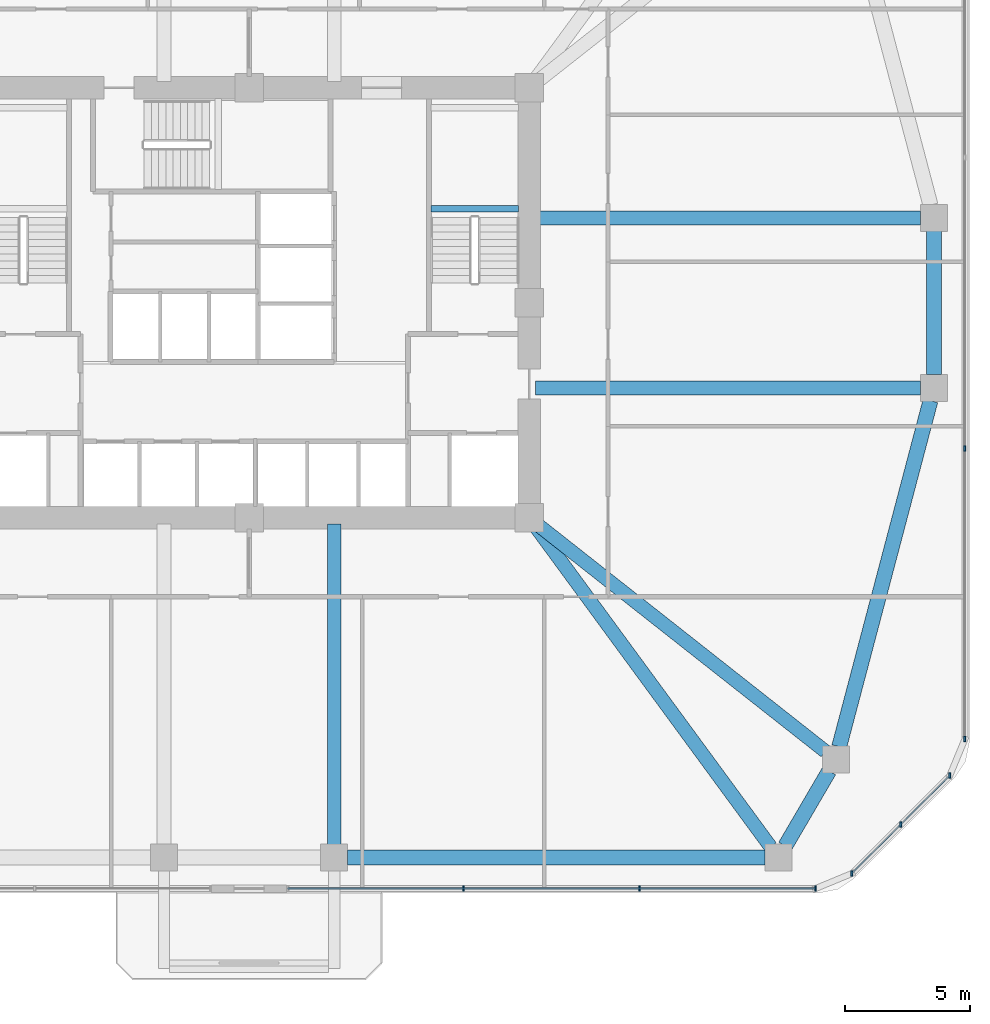
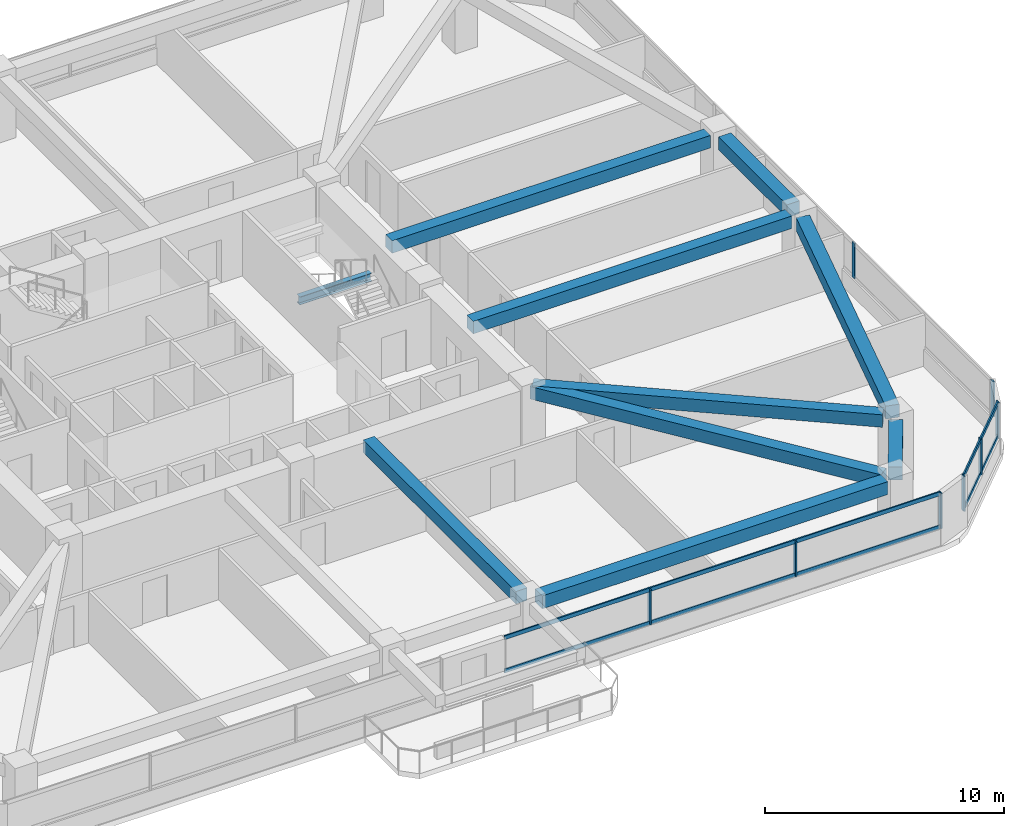
# One storey, part 3 of 13: 12 members, 10 beams, 3 elements without a shape of their own.
"""IFC4 building model written with IfcOpenShell, lengths in metres."""

from ifc_helpers import new_model, si_unit, derived_unit, direction, frame, origin, origin_2d, place, context, subcontext, project, spatial, rectangle, i_section, extrude, material, material_profile, profile_set, type_object, element, aggregate, save


model = new_model("IFC4")

# Units and contexts
model_context = context("Model", 3, precision=1e-05, world=origin(), true_north=direction((0.0, 1.0)))
body_context = subcontext(model_context, "Body", "Model", "MODEL_VIEW")
ifc_project = project(units=[si_unit("LENGTHUNIT", "METRE"), si_unit("AREAUNIT", "SQUARE_METRE"), si_unit("VOLUMEUNIT", "CUBIC_METRE"), si_unit("PLANEANGLEUNIT", "RADIAN"), si_unit("MASSUNIT", "GRAM", prefix="KILO"), derived_unit("THERMALTRANSMITTANCEUNIT", [(si_unit("POWERUNIT", "WATT"), 1), (si_unit("LENGTHUNIT", "METRE"), -2), (si_unit("THERMODYNAMICTEMPERATUREUNIT", "KELVIN"), -1)])], contexts=[model_context])

# Site, building, storey
site_placement = place(None, origin())
site = spatial("IfcSite", under=ifc_project, at=site_placement, CompositionType="ELEMENT")
building_placement = place(site_placement, origin())
building = spatial("IfcBuilding", under=site, at=building_placement, Name="Koralith Skygarden Medical Center", CompositionType="ELEMENT")
storey_placement = place(building_placement, frame((0.0, 0.0, 63.5400390625)))
storey = spatial("IfcBuildingStorey", under=building, at=storey_placement, Name="L16", CompositionType="ELEMENT", Elevation=63.5400390625)

# Curtain wall, members
ifc_material_1 = material(Name="Clear Laminated Glass", Category="glass")
curtain_wall_type = type_object("IfcCurtainWallType", Name="CW-2 Zone 1 Hurricane Unitised Curtain Wall", PredefinedType="NOTDEFINED", material=ifc_material_1)
curtain_wall_1_placement = place(storey_placement, origin())
curtain_wall_1 = element("IfcCurtainWall", 1, at=curtain_wall_1_placement, inside=storey, type_object=curtain_wall_type, Name="Curtain Wall CW-L16-S-R", PredefinedType="NOTDEFINED")
ifc_material_2 = material(Name="Aluminium 6063-T6", Category="aluminium")
ifc_material_profile_1 = material_profile(ifc_material_2, rectangle(XDim=0.071044921875, YDim=0.219970703125, at=origin_2d()), Name="MUL71X220")
ifc_profile_set_1 = profile_set([ifc_material_profile_1], Name="Aluminium 6063-T6")
member_type_1 = type_object("IfcMemberType", Name="CW-2 Extruded Mullion 71x220", PredefinedType="MULLION", material=ifc_profile_set_1)
member_1_placement = place(storey_placement, frame((45.574951171875, 2.47998046875, 0.849853515625), z_axis=(0.0, 0.0, 1.0), x_axis=(1.0, 0.0, 0.0)))
member_1 = element("IfcMember", 2, at=member_1_placement, type_object=member_type_1, Name="CW-L16-S-R Mullion 2", PredefinedType="MULLION", context=body_context, shape_type="SweptSolid", body=[
    extrude(rectangle(XDim=0.071044921875, YDim=0.219970703125, at=origin_2d()), origin(), (0.0, 0.0, 1.0), 1.800048828125),
])
member_2_placement = place(storey_placement, frame((52.610107421875, 2.47998046875, 0.849853515625), z_axis=(0.0, 0.0, 1.0), x_axis=(1.0, 0.0, 0.0)))
member_2 = element("IfcMember", 3, at=member_2_placement, type_object=member_type_1, Name="CW-L16-S-R Mullion 3", PredefinedType="MULLION", context=body_context, shape_type="SweptSolid", body=[
    extrude(rectangle(XDim=0.071044921875, YDim=0.219970703125, at=origin_2d()), origin(), (0.0, 0.0, 1.0), 1.800048828125),
])
member_3_placement = place(storey_placement, frame((59.64501953125, 2.47998046875, 0.849853515625), z_axis=(0.0, 0.0, 1.0), x_axis=(1.0, 0.0, 0.0)))
member_3 = element("IfcMember", 4, at=member_3_placement, type_object=member_type_1, Name="CW-L16-S-R Mullion 4", PredefinedType="MULLION", context=body_context, shape_type="SweptSolid", body=[
    extrude(rectangle(XDim=0.071044921875, YDim=0.219970703125, at=origin_2d()), origin(), (0.0, 0.0, 1.0), 1.800048828125),
])

curtain_wall_2_placement = place(storey_placement, origin())
curtain_wall_2 = element("IfcCurtainWall", 5, at=curtain_wall_2_placement, inside=storey, type_object=curtain_wall_type, Name="Curtain Wall CW-L16-SE", PredefinedType="NOTDEFINED")
member_4_placement = place(storey_placement, frame((61.095947265625, 3.0810546875, 0.849853515625), z_axis=(0.0, 0.0, 1.0), x_axis=(1.0, 0.0, 0.0)))
member_4 = element("IfcMember", 6, at=member_4_placement, type_object=member_type_1, Name="CW-L16-SE Mullion 1", PredefinedType="MULLION", context=body_context, shape_type="SweptSolid", body=[
    extrude(rectangle(XDim=0.071044921875, YDim=0.219970703125, at=origin_2d()), origin(), (0.0, 0.0, 1.0), 1.800048828125),
])
member_5_placement = place(storey_placement, frame((63.056884765625, 5.0419921875, 0.849853515625), z_axis=(0.0, 0.0, 1.0), x_axis=(1.0, 0.0, 0.0)))
member_5 = element("IfcMember", 7, at=member_5_placement, type_object=member_type_1, Name="CW-L16-SE Mullion 2", PredefinedType="MULLION", context=body_context, shape_type="SweptSolid", body=[
    extrude(rectangle(XDim=0.071044921875, YDim=0.219970703125, at=origin_2d()), origin(), (0.0, 0.0, 1.0), 1.800048828125),
])
member_6_placement = place(storey_placement, frame((65.01904296875, 7.00390625, 0.849853515625), z_axis=(0.0, 0.0, 1.0), x_axis=(1.0, 0.0, 0.0)))
member_6 = element("IfcMember", 8, at=member_6_placement, type_object=member_type_1, Name="CW-L16-SE Mullion 3", PredefinedType="MULLION", context=body_context, shape_type="SweptSolid", body=[
    extrude(rectangle(XDim=0.071044921875, YDim=0.219970703125, at=origin_2d()), origin(), (0.0, 0.0, 1.0), 1.800048828125),
])

curtain_wall_3_placement = place(storey_placement, origin())
curtain_wall_3 = element("IfcCurtainWall", 9, at=curtain_wall_3_placement, inside=storey, type_object=curtain_wall_type, Name="Curtain Wall CW-L16-E", PredefinedType="NOTDEFINED")
member_7_placement = place(storey_placement, frame((65.6201171875, 8.455078125, 0.849853515625), z_axis=(0.0, 0.0, 1.0), x_axis=(1.0, 0.0, 0.0)))
member_7 = element("IfcMember", 10, at=member_7_placement, type_object=member_type_1, Name="CW-L16-E Mullion 1", PredefinedType="MULLION", context=body_context, shape_type="SweptSolid", body=[
    extrude(rectangle(XDim=0.071044921875, YDim=0.219970703125, at=origin_2d()), origin(), (0.0, 0.0, 1.0), 1.800048828125),
])
member_8_placement = place(storey_placement, frame((65.6201171875, 20.0849609375, 0.849853515625), z_axis=(0.0, 0.0, 1.0), x_axis=(1.0, 0.0, 0.0)))
member_8 = element("IfcMember", 11, at=member_8_placement, type_object=member_type_1, Name="CW-L16-E Mullion 2", PredefinedType="MULLION", context=body_context, shape_type="SweptSolid", body=[
    extrude(rectangle(XDim=0.071044921875, YDim=0.219970703125, at=origin_2d()), origin(), (0.0, 0.0, 1.0), 1.800048828125),
])
aggregate(curtain_wall_3, [member_7, member_8])

# Member
ifc_material_profile_2 = material_profile(ifc_material_2, rectangle(XDim=0.06591796875, YDim=0.197998046875, at=origin_2d()), Name="TRN66X198")
ifc_profile_set_2 = profile_set([ifc_material_profile_2], Name="Aluminium 6063-T6")
member_type_2 = type_object("IfcMemberType", Name="CW-2 Thermal Transom 66x198", PredefinedType="USERDEFINED", material=ifc_profile_set_2)
member_9_placement = place(storey_placement, frame((38.5400390625, 2.47998046875, 0.89990234375), z_axis=(1.0, 0.0, 0.0), x_axis=(0.0, 1.0, 0.0)))
member_9 = element("IfcMember", 12, at=member_9_placement, type_object=member_type_2, Name="CW-L16-S-R Transom 1", ObjectType="TRANSOM", PredefinedType="USERDEFINED", context=body_context, shape_type="SweptSolid", body=[
    extrude(rectangle(XDim=0.06591796875, YDim=0.197998046875, at=origin_2d()), origin(), (0.0, 0.0, 1.0), 21.10498046875),
])

member_10_placement = place(storey_placement, frame((38.5400390625, 2.47998046875, 2.599853515625), z_axis=(1.0, 0.0, 0.0), x_axis=(0.0, 1.0, 0.0)))
member_10 = element("IfcMember", 13, at=member_10_placement, type_object=member_type_2, Name="CW-L16-S-R Transom 2", ObjectType="TRANSOM", PredefinedType="USERDEFINED", context=body_context, shape_type="SweptSolid", body=[
    extrude(rectangle(XDim=0.06591796875, YDim=0.197998046875, at=origin_2d()), origin(), (0.0, 0.0, 1.0), 21.10498046875),
])

aggregate(curtain_wall_1, [member_1, member_2, member_3, member_9, member_10])

member_11_placement = place(storey_placement, frame((61.095947265625, 3.0810546875, 0.89990234375), z_axis=(0.707128783731, 0.707084777957, 0.0), x_axis=(-0.707084777957, 0.707128783731, 0.0)))
member_11 = element("IfcMember", 14, at=member_11_placement, type_object=member_type_2, Name="CW-L16-SE Transom 1", ObjectType="TRANSOM", PredefinedType="USERDEFINED", context=body_context, shape_type="SweptSolid", body=[
    extrude(rectangle(XDim=0.06591796875, YDim=0.197998046875, at=origin_2d()), origin(), (0.0, 0.0, 1.0), 5.5478515625),
])

member_12_placement = place(storey_placement, frame((61.095947265625, 3.0810546875, 2.599853515625), z_axis=(0.707128783731, 0.707084777957, 0.0), x_axis=(-0.707084777957, 0.707128783731, 0.0)))
member_12 = element("IfcMember", 15, at=member_12_placement, type_object=member_type_2, Name="CW-L16-SE Transom 2", ObjectType="TRANSOM", PredefinedType="USERDEFINED", context=body_context, shape_type="SweptSolid", body=[
    extrude(rectangle(XDim=0.06591796875, YDim=0.197998046875, at=origin_2d()), origin(), (0.0, 0.0, 1.0), 5.5478515625),
])

aggregate(curtain_wall_2, [member_4, member_5, member_6, member_11, member_12])

# Beams
ifc_material_3 = material(Name="Steel ASTM A992 Grade 50", Category="steel")
ifc_material_profile_3 = material_profile(ifc_material_3, i_section(OverallWidth=0.260009765625, OverallDepth=0.4150390625, WebThickness=0.010009765625, FlangeThickness=0.016845703125, at=origin_2d()), Name="W16X67")
ifc_profile_set_3 = profile_set([ifc_material_profile_3], Name="Steel ASTM A992 Grade 50")
beam_type_1 = type_object("IfcBeamType", Name="Clinical Floor Joist W16X67", PredefinedType="JOIST", material=ifc_profile_set_3)
beam_1_placement = place(storey_placement, frame((44.280029296875, 29.659912109375, 1.39306640625), z_axis=(1.0, 0.0, 0.0), x_axis=(0.0, 1.0, 0.0)))
element("IfcBeam", 16, at=beam_1_placement, inside=storey, type_object=beam_type_1, Name="L16 Stair ST2 Half-Landing Support Beam 1A", PredefinedType="JOIST", context=body_context, shape_type="SweptSolid", body=[
    extrude(i_section(OverallWidth=0.260009765625, OverallDepth=0.4150390625, WebThickness=0.010009765625, FlangeThickness=0.016845703125, at=origin_2d()), origin(), (0.0, 0.0, 1.0), 3.489990234375),
])
ifc_material_4 = material(Name="Concrete C45/55", Category="concrete")
ifc_material_profile_4 = material_profile(ifc_material_4, rectangle(XDim=0.550048828125, YDim=0.639892578125, at=origin_2d()), Name="RCB550X640")
ifc_profile_set_4 = profile_set([ifc_material_profile_4], Name="Concrete C45/55")
beam_type_2 = type_object("IfcBeamType", Name="Radial Collector Beam RCB550X640", PredefinedType="BEAM", material=ifc_profile_set_4)
beam_2_placement = place(storey_placement, frame((40.39990234375, 17.050048828125, 3.0), z_axis=(0.0, -1.0, 0.0), x_axis=(1.0, 0.0, 0.0)))
element("IfcBeam", 17, at=beam_2_placement, inside=storey, type_object=beam_type_2, Name="L16 Radial Collector Beam RB-05", PredefinedType="BEAM", context=body_context, shape_type="SweptSolid", body=[
    extrude(rectangle(XDim=0.550048828125, YDim=0.639892578125, at=origin_2d()), origin(), (0.0, 0.0, 1.0), 12.800048828125),
])
beam_3_placement = place(storey_placement, frame((48.347900390625, 17.097900390625, 3.0), z_axis=(0.591718052249, -0.806144991079, 0.0), x_axis=(0.806144991079, 0.591718052249, 0.0)))
element("IfcBeam", 18, at=beam_3_placement, inside=storey, type_object=beam_type_2, Name="L16 Radial Collector Beam RB-06", PredefinedType="BEAM", context=body_context, shape_type="SweptSolid", body=[
    extrude(rectangle(XDim=0.550048828125, YDim=0.639892578125, at=origin_2d()), origin(), (0.0, 0.0, 1.0), 16.065185546875),
])
beam_4_placement = place(storey_placement, frame((48.39599609375, 17.14501953125, 3.0), z_axis=(0.785497250365, -0.618865146594, 0.0), x_axis=(0.618865146594, 0.785497250365, 0.0)))
element("IfcBeam", 19, at=beam_4_placement, inside=storey, type_object=beam_type_2, Name="L16 Radial Collector Beam RB-07", PredefinedType="BEAM", context=body_context, shape_type="SweptSolid", body=[
    extrude(rectangle(XDim=0.550048828125, YDim=0.639892578125, at=origin_2d()), origin(), (0.0, 0.0, 1.0), 14.828857421875),
])
for number, where, z_axis, x_axis, name in (
    (20, (48.449951171875, 22.5, 3.0), (1.0, 0.0, 0.0), (0.0, 1.0, 0.0), "L16 Radial Collector Beam RB-08"),
    (21, (48.449951171875, 29.300048828125, 3.0), (1.0, 0.0, 0.0), (0.0, 1.0, 0.0), "L16 Radial Collector Beam RB-09"),
):
    element("IfcBeam", number, at=place(storey_placement, frame(where, z_axis=z_axis, x_axis=x_axis)), inside=storey, type_object=beam_type_2, Name=name, PredefinedType="BEAM", context=body_context, shape_type="SweptSolid", body=[
        extrude(rectangle(XDim=0.550048828125, YDim=0.639892578125, at=origin_2d()), origin(), (0.0, 0.0, 1.0), 15.400146484375),
    ])
ifc_material_profile_5 = material_profile(ifc_material_4, rectangle(XDim=0.60009765625, YDim=0.659912109375, at=origin_2d()), Name="RCB600X660")
ifc_profile_set_5 = profile_set([ifc_material_profile_5], Name="Concrete C45/55")
beam_type_3 = type_object("IfcBeamType", Name="Zone 1 Spandrel Beam RCB600X660", PredefinedType="SPANDREL", material=ifc_profile_set_5)
beam_5_placement = place(storey_placement, frame((40.929931640625, 3.719970703125, 2.989990234375), z_axis=(1.0, 0.0, 0.0), x_axis=(0.0, 1.0, 0.0)))
element("IfcBeam", 22, at=beam_5_placement, inside=storey, type_object=beam_type_3, Name="L16 Perimeter Spandrel Beam SP-05", PredefinedType="SPANDREL", context=body_context, shape_type="SweptSolid", body=[
    extrude(rectangle(XDim=0.60009765625, YDim=0.659912109375, at=origin_2d()), origin(), (0.0, 0.0, 1.0), 16.7080078125),
])
beam_6_placement = place(storey_placement, frame((58.43603515625, 4.177978515625, 2.989990234375), z_axis=(0.504638660636, 0.863330656349, 0.0), x_axis=(-0.863330656349, 0.504638660636, 0.0)))
element("IfcBeam", 23, at=beam_6_placement, inside=storey, type_object=beam_type_3, Name="L16 Perimeter Spandrel Beam SP-06", PredefinedType="SPANDREL", context=body_context, shape_type="SweptSolid", body=[
    extrude(rectangle(XDim=0.60009765625, YDim=0.659912109375, at=origin_2d()), origin(), (0.0, 0.0, 1.0), 3.4794921875),
])
beam_7_placement = place(storey_placement, frame((60.594970703125, 8.152099609375, 2.989990234375), z_axis=(0.255088684842, 0.966917660851, 0.0), x_axis=(-0.966917660851, 0.255088684842, 0.0)))
element("IfcBeam", 24, at=beam_7_placement, inside=storey, type_object=beam_type_3, Name="L16 Perimeter Spandrel Beam SP-07", PredefinedType="SPANDREL", context=body_context, shape_type="SweptSolid", body=[
    extrude(rectangle(XDim=0.60009765625, YDim=0.659912109375, at=origin_2d()), origin(), (0.0, 0.0, 1.0), 14.309326171875),
])
beam_8_placement = place(storey_placement, frame((64.3798828125, 23.030029296875, 2.989990234375), z_axis=(0.0, 1.0, 0.0), x_axis=(-1.0, 0.0, 0.0)))
element("IfcBeam", 25, at=beam_8_placement, inside=storey, type_object=beam_type_3, Name="L16 Perimeter Spandrel Beam SP-08", PredefinedType="SPANDREL", context=body_context, shape_type="SweptSolid", body=[
    extrude(rectangle(XDim=0.60009765625, YDim=0.659912109375, at=origin_2d()), origin(), (0.0, 0.0, 1.0), 5.739990234375),
])

save(model, "model.ifc")
